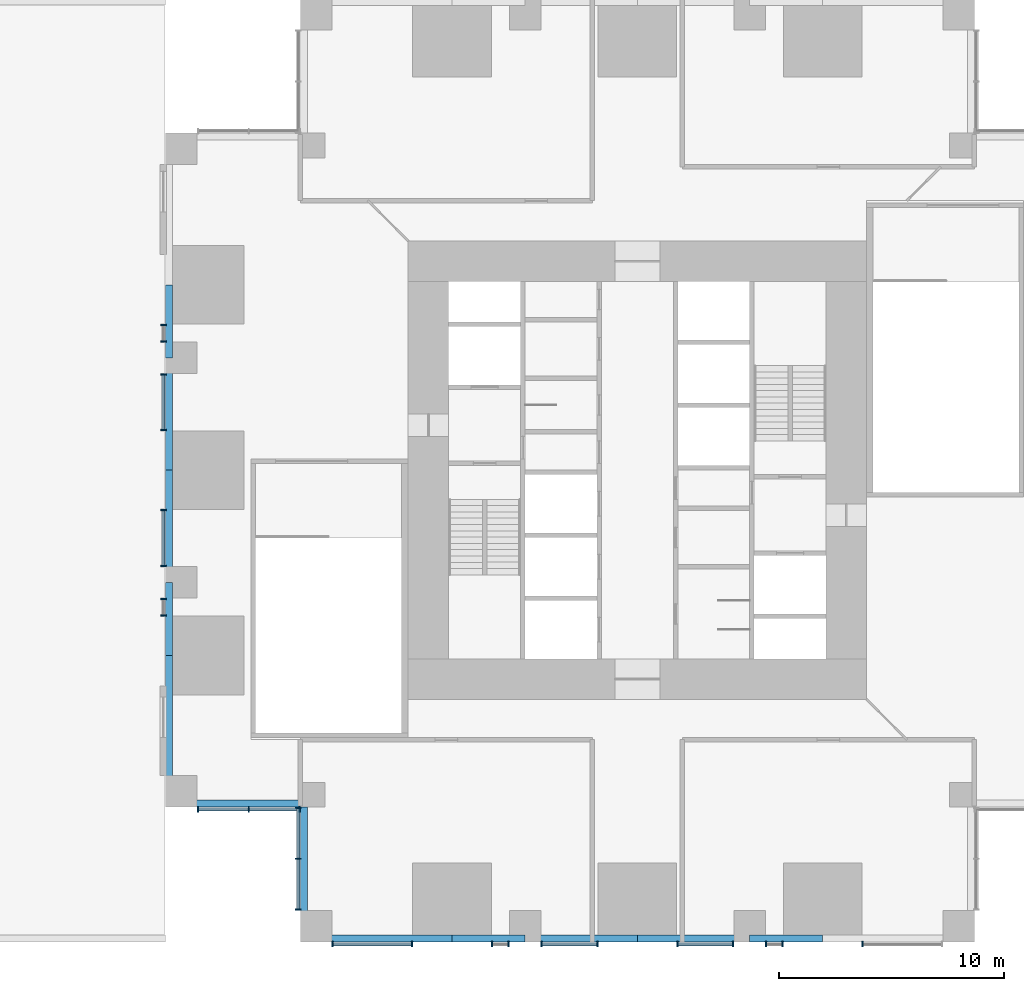
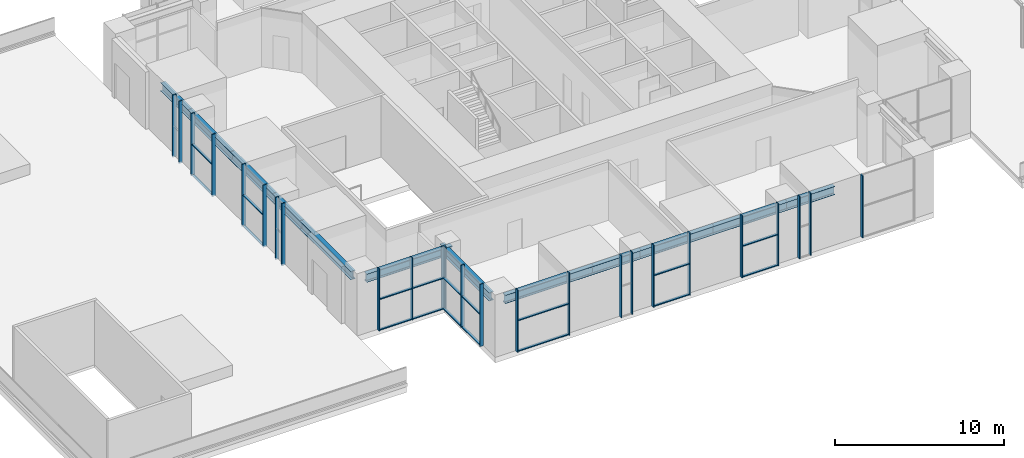
# One storey, part 3 of 14: 43 members, 12 beams, 12 elements without a shape of their own.
"""IFC4 building model written with IfcOpenShell, lengths in metres."""

from ifc_helpers import new_model, si_unit, direction, frame, origin, origin_2d, place, context, subcontext, project, spatial, rectangle, i_section, extrude, material, material_profile, profile_set, type_object, element, aggregate, save


model = new_model("IFC4")

# Units and contexts
model_context = context("Model", 3, precision=1e-05, world=origin(), true_north=direction((0.0, 1.0)))
body_context = subcontext(model_context, "Body", "Model", "MODEL_VIEW")
ifc_project = project(units=[si_unit("LENGTHUNIT", "METRE"), si_unit("AREAUNIT", "SQUARE_METRE"), si_unit("VOLUMEUNIT", "CUBIC_METRE"), si_unit("PLANEANGLEUNIT", "RADIAN"), si_unit("MASSUNIT", "GRAM", prefix="KILO")], contexts=[model_context])

# Site, building, storey
site_placement = place(None, origin())
site = spatial("IfcSite", under=ifc_project, at=site_placement, CompositionType="ELEMENT")
building_placement = place(site_placement, origin())
building = spatial("IfcBuilding", under=site, at=building_placement, Name="Svetlomir Tower", CompositionType="ELEMENT")
storey_placement = place(building_placement, frame((0.0, 0.0, 18.0)))
storey = spatial("IfcBuildingStorey", under=building, at=storey_placement, Name="L03", CompositionType="ELEMENT", Elevation=18.0)

# Curtain wall, members
ifc_material_1 = material(Name="Bronze anodised aluminium curtain wall", Category="aluminium")
curtain_wall_type = type_object("IfcCurtainWallType", Name="CURTAIN WALL CW2 SKY LOBBY", PredefinedType="NOTDEFINED", material=ifc_material_1)
curtain_wall_1_placement = place(storey_placement, origin())
curtain_wall_1 = element("IfcCurtainWall", 1, at=curtain_wall_1_placement, inside=storey, type_object=curtain_wall_type, Name="Curtain wall CW2 L03", PredefinedType="NOTDEFINED")
ifc_material_2 = material(Name="Bronze anodised aluminium", Category="aluminium")
ifc_material_profile_1 = material_profile(ifc_material_2, rectangle(XDim=0.06494140625, YDim=0.25, at=origin_2d()), Name="AL 65x250")
ifc_profile_set_1 = profile_set([ifc_material_profile_1], Name="Bronze anodised aluminium 6063-T6")
member_type_1 = type_object("IfcMemberType", Name="CW2 MULLION 65x250", PredefinedType="MULLION", material=ifc_profile_set_1)
member_1_placement = place(storey_placement, frame((7.4326171875, -0.10009765625, 0.0), z_axis=(0.0, 0.0, 1.0), x_axis=(1.0, 0.0, 0.0)))
member_1 = element("IfcMember", 2, at=member_1_placement, type_object=member_type_1, Name="CW2 mullion 1", PredefinedType="MULLION", context=body_context, shape_type="SweptSolid", body=[
    extrude(rectangle(XDim=0.06494140625, YDim=0.25, at=origin_2d()), origin(), (0.0, 0.0, 1.0), 4.5),
])
member_2_placement = place(storey_placement, frame((10.967529296875, -0.10009765625, 0.0), z_axis=(0.0, 0.0, 1.0), x_axis=(1.0, 0.0, 0.0)))
member_2 = element("IfcMember", 3, at=member_2_placement, type_object=member_type_1, Name="CW2 mullion 2", PredefinedType="MULLION", context=body_context, shape_type="SweptSolid", body=[
    extrude(rectangle(XDim=0.06494140625, YDim=0.25, at=origin_2d()), origin(), (0.0, 0.0, 1.0), 4.5),
])

curtain_wall_2_placement = place(storey_placement, origin())
curtain_wall_2 = element("IfcCurtainWall", 4, at=curtain_wall_2_placement, inside=storey, type_object=curtain_wall_type, Name="Curtain wall CW2 L03", PredefinedType="NOTDEFINED")
member_3_placement = place(storey_placement, frame((14.532470703125, -0.10009765625, 0.0), z_axis=(0.0, 0.0, 1.0), x_axis=(1.0, 0.0, 0.0)))
member_3 = element("IfcMember", 5, at=member_3_placement, type_object=member_type_1, Name="CW2 mullion 1", PredefinedType="MULLION", context=body_context, shape_type="SweptSolid", body=[
    extrude(rectangle(XDim=0.06494140625, YDim=0.25, at=origin_2d()), origin(), (0.0, 0.0, 1.0), 4.5),
])
member_4_placement = place(storey_placement, frame((15.267578125, -0.10009765625, 0.0), z_axis=(0.0, 0.0, 1.0), x_axis=(1.0, 0.0, 0.0)))
member_4 = element("IfcMember", 6, at=member_4_placement, type_object=member_type_1, Name="CW2 mullion 2", PredefinedType="MULLION", context=body_context, shape_type="SweptSolid", body=[
    extrude(rectangle(XDim=0.06494140625, YDim=0.25, at=origin_2d()), origin(), (0.0, 0.0, 1.0), 4.5),
])
aggregate(curtain_wall_2, [member_3, member_4])

curtain_wall_3_placement = place(storey_placement, origin())
curtain_wall_3 = element("IfcCurtainWall", 7, at=curtain_wall_3_placement, inside=storey, type_object=curtain_wall_type, Name="Curtain wall CW2 L03", PredefinedType="NOTDEFINED")
member_5_placement = place(storey_placement, frame((16.732421875, -0.10009765625, 0.0), z_axis=(0.0, 0.0, 1.0), x_axis=(1.0, 0.0, 0.0)))
member_5 = element("IfcMember", 8, at=member_5_placement, type_object=member_type_1, Name="CW2 mullion 1", PredefinedType="MULLION", context=body_context, shape_type="SweptSolid", body=[
    extrude(rectangle(XDim=0.06494140625, YDim=0.25, at=origin_2d()), origin(), (0.0, 0.0, 1.0), 4.5),
])
member_6_placement = place(storey_placement, frame((19.217529296875, -0.10009765625, 0.0), z_axis=(0.0, 0.0, 1.0), x_axis=(1.0, 0.0, 0.0)))
member_6 = element("IfcMember", 9, at=member_6_placement, type_object=member_type_1, Name="CW2 mullion 2", PredefinedType="MULLION", context=body_context, shape_type="SweptSolid", body=[
    extrude(rectangle(XDim=0.06494140625, YDim=0.25, at=origin_2d()), origin(), (0.0, 0.0, 1.0), 4.5),
])

curtain_wall_4_placement = place(storey_placement, origin())
curtain_wall_4 = element("IfcCurtainWall", 10, at=curtain_wall_4_placement, inside=storey, type_object=curtain_wall_type, Name="Curtain wall CW2 L03", PredefinedType="NOTDEFINED")
member_7_placement = place(storey_placement, frame((22.782470703125, -0.10009765625, 0.0), z_axis=(0.0, 0.0, 1.0), x_axis=(1.0, 0.0, 0.0)))
member_7 = element("IfcMember", 11, at=member_7_placement, type_object=member_type_1, Name="CW2 mullion 1", PredefinedType="MULLION", context=body_context, shape_type="SweptSolid", body=[
    extrude(rectangle(XDim=0.06494140625, YDim=0.25, at=origin_2d()), origin(), (0.0, 0.0, 1.0), 4.5),
])
member_8_placement = place(storey_placement, frame((25.267578125, -0.10009765625, 0.0), z_axis=(0.0, 0.0, 1.0), x_axis=(1.0, 0.0, 0.0)))
member_8 = element("IfcMember", 12, at=member_8_placement, type_object=member_type_1, Name="CW2 mullion 2", PredefinedType="MULLION", context=body_context, shape_type="SweptSolid", body=[
    extrude(rectangle(XDim=0.06494140625, YDim=0.25, at=origin_2d()), origin(), (0.0, 0.0, 1.0), 4.5),
])

curtain_wall_5_placement = place(storey_placement, origin())
curtain_wall_5 = element("IfcCurtainWall", 13, at=curtain_wall_5_placement, inside=storey, type_object=curtain_wall_type, Name="Curtain wall CW2 L03", PredefinedType="NOTDEFINED")
member_9_placement = place(storey_placement, frame((26.732421875, -0.10009765625, 0.0), z_axis=(0.0, 0.0, 1.0), x_axis=(1.0, 0.0, 0.0)))
member_9 = element("IfcMember", 14, at=member_9_placement, type_object=member_type_1, Name="CW2 mullion 1", PredefinedType="MULLION", context=body_context, shape_type="SweptSolid", body=[
    extrude(rectangle(XDim=0.06494140625, YDim=0.25, at=origin_2d()), origin(), (0.0, 0.0, 1.0), 4.5),
])
member_10_placement = place(storey_placement, frame((27.467529296875, -0.10009765625, 0.0), z_axis=(0.0, 0.0, 1.0), x_axis=(1.0, 0.0, 0.0)))
member_10 = element("IfcMember", 15, at=member_10_placement, type_object=member_type_1, Name="CW2 mullion 2", PredefinedType="MULLION", context=body_context, shape_type="SweptSolid", body=[
    extrude(rectangle(XDim=0.06494140625, YDim=0.25, at=origin_2d()), origin(), (0.0, 0.0, 1.0), 4.5),
])
aggregate(curtain_wall_5, [member_9, member_10])

# Curtain wall, member
curtain_wall_6_placement = place(storey_placement, origin())
curtain_wall_6 = element("IfcCurtainWall", 16, at=curtain_wall_6_placement, inside=storey, type_object=curtain_wall_type, Name="Curtain wall CW2 L03", PredefinedType="NOTDEFINED")
member_11_placement = place(storey_placement, frame((31.032470703125, -0.10009765625, 0.0), z_axis=(0.0, 0.0, 1.0), x_axis=(1.0, 0.0, 0.0)))
member_11 = element("IfcMember", 17, at=member_11_placement, type_object=member_type_1, Name="CW2 mullion 1", PredefinedType="MULLION", context=body_context, shape_type="SweptSolid", body=[
    extrude(rectangle(XDim=0.06494140625, YDim=0.25, at=origin_2d()), origin(), (0.0, 0.0, 1.0), 4.5),
])
aggregate(curtain_wall_6, [member_11])

# Curtain wall, members
curtain_wall_7_placement = place(storey_placement, origin())
curtain_wall_7 = element("IfcCurtainWall", 18, at=curtain_wall_7_placement, inside=storey, type_object=curtain_wall_type, Name="Curtain wall CW2 L03", PredefinedType="NOTDEFINED")
member_12_placement = place(storey_placement, frame((-0.10009765625, 27.467529296875, 0.0), z_axis=(0.0, 0.0, 1.0), x_axis=(0.0, -1.0, 0.0)))
member_12 = element("IfcMember", 19, at=member_12_placement, type_object=member_type_1, Name="CW2 mullion 1", PredefinedType="MULLION", context=body_context, shape_type="SweptSolid", body=[
    extrude(rectangle(XDim=0.06494140625, YDim=0.25, at=origin_2d()), origin(), (0.0, 0.0, 1.0), 4.5),
])
member_13_placement = place(storey_placement, frame((-0.10009765625, 26.732421875, 0.0), z_axis=(0.0, 0.0, 1.0), x_axis=(0.0, -1.0, 0.0)))
member_13 = element("IfcMember", 20, at=member_13_placement, type_object=member_type_1, Name="CW2 mullion 2", PredefinedType="MULLION", context=body_context, shape_type="SweptSolid", body=[
    extrude(rectangle(XDim=0.06494140625, YDim=0.25, at=origin_2d()), origin(), (0.0, 0.0, 1.0), 4.5),
])
aggregate(curtain_wall_7, [member_12, member_13])

curtain_wall_8_placement = place(storey_placement, origin())
curtain_wall_8 = element("IfcCurtainWall", 21, at=curtain_wall_8_placement, inside=storey, type_object=curtain_wall_type, Name="Curtain wall CW2 L03", PredefinedType="NOTDEFINED")
member_14_placement = place(storey_placement, frame((-0.10009765625, 25.267578125, 0.0), z_axis=(0.0, 0.0, 1.0), x_axis=(0.0, -1.0, 0.0)))
member_14 = element("IfcMember", 22, at=member_14_placement, type_object=member_type_1, Name="CW2 mullion 1", PredefinedType="MULLION", context=body_context, shape_type="SweptSolid", body=[
    extrude(rectangle(XDim=0.06494140625, YDim=0.25, at=origin_2d()), origin(), (0.0, 0.0, 1.0), 4.5),
])
member_15_placement = place(storey_placement, frame((-0.10009765625, 22.782470703125, 0.0), z_axis=(0.0, 0.0, 1.0), x_axis=(0.0, -1.0, 0.0)))
member_15 = element("IfcMember", 23, at=member_15_placement, type_object=member_type_1, Name="CW2 mullion 2", PredefinedType="MULLION", context=body_context, shape_type="SweptSolid", body=[
    extrude(rectangle(XDim=0.06494140625, YDim=0.25, at=origin_2d()), origin(), (0.0, 0.0, 1.0), 4.5),
])

curtain_wall_9_placement = place(storey_placement, origin())
curtain_wall_9 = element("IfcCurtainWall", 24, at=curtain_wall_9_placement, inside=storey, type_object=curtain_wall_type, Name="Curtain wall CW2 L03", PredefinedType="NOTDEFINED")
member_16_placement = place(storey_placement, frame((-0.10009765625, 19.217529296875, 0.0), z_axis=(0.0, 0.0, 1.0), x_axis=(0.0, -1.0, 0.0)))
member_16 = element("IfcMember", 25, at=member_16_placement, type_object=member_type_1, Name="CW2 mullion 1", PredefinedType="MULLION", context=body_context, shape_type="SweptSolid", body=[
    extrude(rectangle(XDim=0.06494140625, YDim=0.25, at=origin_2d()), origin(), (0.0, 0.0, 1.0), 4.5),
])
member_17_placement = place(storey_placement, frame((-0.10009765625, 16.732421875, 0.0), z_axis=(0.0, 0.0, 1.0), x_axis=(0.0, -1.0, 0.0)))
member_17 = element("IfcMember", 26, at=member_17_placement, type_object=member_type_1, Name="CW2 mullion 2", PredefinedType="MULLION", context=body_context, shape_type="SweptSolid", body=[
    extrude(rectangle(XDim=0.06494140625, YDim=0.25, at=origin_2d()), origin(), (0.0, 0.0, 1.0), 4.5),
])

curtain_wall_10_placement = place(storey_placement, origin())
curtain_wall_10 = element("IfcCurtainWall", 27, at=curtain_wall_10_placement, inside=storey, type_object=curtain_wall_type, Name="Curtain wall CW2 L03", PredefinedType="NOTDEFINED")
member_18_placement = place(storey_placement, frame((-0.10009765625, 15.267578125, 0.0), z_axis=(0.0, 0.0, 1.0), x_axis=(0.0, -1.0, 0.0)))
member_18 = element("IfcMember", 28, at=member_18_placement, type_object=member_type_1, Name="CW2 mullion 1", PredefinedType="MULLION", context=body_context, shape_type="SweptSolid", body=[
    extrude(rectangle(XDim=0.06494140625, YDim=0.25, at=origin_2d()), origin(), (0.0, 0.0, 1.0), 4.5),
])
member_19_placement = place(storey_placement, frame((-0.10009765625, 14.532470703125, 0.0), z_axis=(0.0, 0.0, 1.0), x_axis=(0.0, -1.0, 0.0)))
member_19 = element("IfcMember", 29, at=member_19_placement, type_object=member_type_1, Name="CW2 mullion 2", PredefinedType="MULLION", context=body_context, shape_type="SweptSolid", body=[
    extrude(rectangle(XDim=0.06494140625, YDim=0.25, at=origin_2d()), origin(), (0.0, 0.0, 1.0), 4.5),
])
aggregate(curtain_wall_10, [member_18, member_19])

curtain_wall_11_placement = place(storey_placement, origin())
curtain_wall_11 = element("IfcCurtainWall", 30, at=curtain_wall_11_placement, inside=storey, type_object=curtain_wall_type, Name="Curtain wall CW2 L03", PredefinedType="NOTDEFINED")
member_20_placement = place(storey_placement, frame((1.4326171875, 5.89990234375, 0.0), z_axis=(0.0, 0.0, 1.0), x_axis=(1.0, 0.0, 0.0)))
member_20 = element("IfcMember", 31, at=member_20_placement, type_object=member_type_1, Name="CW2 mullion 1", PredefinedType="MULLION", context=body_context, shape_type="SweptSolid", body=[
    extrude(rectangle(XDim=0.06494140625, YDim=0.25, at=origin_2d()), origin(), (0.0, 0.0, 1.0), 4.5),
])
member_21_placement = place(storey_placement, frame((3.699951171875, 5.89990234375, 0.0), z_axis=(0.0, 0.0, 1.0), x_axis=(1.0, 0.0, 0.0)))
member_21 = element("IfcMember", 32, at=member_21_placement, type_object=member_type_1, Name="CW2 mullion 2", PredefinedType="MULLION", context=body_context, shape_type="SweptSolid", body=[
    extrude(rectangle(XDim=0.06494140625, YDim=0.25, at=origin_2d()), origin(), (0.0, 0.0, 1.0), 4.5),
])
member_22_placement = place(storey_placement, frame((5.967529296875, 5.89990234375, 0.0), z_axis=(0.0, 0.0, 1.0), x_axis=(1.0, 0.0, 0.0)))
member_22 = element("IfcMember", 33, at=member_22_placement, type_object=member_type_1, Name="CW2 mullion 3", PredefinedType="MULLION", context=body_context, shape_type="SweptSolid", body=[
    extrude(rectangle(XDim=0.06494140625, YDim=0.25, at=origin_2d()), origin(), (0.0, 0.0, 1.0), 4.5),
])

curtain_wall_12_placement = place(storey_placement, origin())
curtain_wall_12 = element("IfcCurtainWall", 34, at=curtain_wall_12_placement, inside=storey, type_object=curtain_wall_type, Name="Curtain wall CW2 L03", PredefinedType="NOTDEFINED")
member_23_placement = place(storey_placement, frame((5.89990234375, 5.967529296875, 0.0), z_axis=(0.0, 0.0, 1.0), x_axis=(0.0, -1.0, 0.0)))
member_23 = element("IfcMember", 35, at=member_23_placement, type_object=member_type_1, Name="CW2 mullion 1", PredefinedType="MULLION", context=body_context, shape_type="SweptSolid", body=[
    extrude(rectangle(XDim=0.06494140625, YDim=0.25, at=origin_2d()), origin(), (0.0, 0.0, 1.0), 4.5),
])
member_24_placement = place(storey_placement, frame((5.89990234375, 3.699951171875, 0.0), z_axis=(0.0, 0.0, 1.0), x_axis=(0.0, -1.0, 0.0)))
member_24 = element("IfcMember", 36, at=member_24_placement, type_object=member_type_1, Name="CW2 mullion 2", PredefinedType="MULLION", context=body_context, shape_type="SweptSolid", body=[
    extrude(rectangle(XDim=0.06494140625, YDim=0.25, at=origin_2d()), origin(), (0.0, 0.0, 1.0), 4.5),
])
member_25_placement = place(storey_placement, frame((5.89990234375, 1.4326171875, 0.0), z_axis=(0.0, 0.0, 1.0), x_axis=(0.0, -1.0, 0.0)))
member_25 = element("IfcMember", 37, at=member_25_placement, type_object=member_type_1, Name="CW2 mullion 3", PredefinedType="MULLION", context=body_context, shape_type="SweptSolid", body=[
    extrude(rectangle(XDim=0.06494140625, YDim=0.25, at=origin_2d()), origin(), (0.0, 0.0, 1.0), 4.5),
])

# Member
ifc_material_3 = material(Name="Bronze anodised aluminium", Category="aluminium")
ifc_material_profile_2 = material_profile(ifc_material_3, rectangle(XDim=0.159912109375, YDim=0.06494140625, at=origin_2d()), Name="AL 160x65")
ifc_profile_set_2 = profile_set([ifc_material_profile_2], Name="Bronze anodised aluminium 6063-T6")
member_type_2 = type_object("IfcMemberType", Name="CW2 TRANSOM 65x160", PredefinedType="USERDEFINED", material=ifc_profile_set_2)
member_26_placement = place(storey_placement, frame((7.465087890625, -0.10009765625, 0.032470703125), z_axis=(1.0, 0.0, 0.0), x_axis=(0.0, 1.0, 0.0)))
member_26 = element("IfcMember", 38, at=member_26_placement, type_object=member_type_2, Name="CW2 transom 1.1", ObjectType="TRANSOM", PredefinedType="USERDEFINED", context=body_context, shape_type="SweptSolid", body=[
    extrude(rectangle(XDim=0.159912109375, YDim=0.06494140625, at=origin_2d()), origin(), (0.0, 0.0, 1.0), 3.469970703125),
])

member_27_placement = place(storey_placement, frame((7.465087890625, -0.10009765625, 2.25), z_axis=(1.0, 0.0, 0.0), x_axis=(0.0, 1.0, 0.0)))
member_27 = element("IfcMember", 39, at=member_27_placement, type_object=member_type_2, Name="CW2 transom 1.2", ObjectType="TRANSOM", PredefinedType="USERDEFINED", context=body_context, shape_type="SweptSolid", body=[
    extrude(rectangle(XDim=0.159912109375, YDim=0.06494140625, at=origin_2d()), origin(), (0.0, 0.0, 1.0), 3.469970703125),
])

aggregate(curtain_wall_1, [member_1, member_2, member_26, member_27])

member_28_placement = place(storey_placement, frame((16.764892578125, -0.10009765625, 0.032470703125), z_axis=(1.0, 0.0, 0.0), x_axis=(0.0, 1.0, 0.0)))
member_28 = element("IfcMember", 40, at=member_28_placement, type_object=member_type_2, Name="CW2 transom 1.1", ObjectType="TRANSOM", PredefinedType="USERDEFINED", context=body_context, shape_type="SweptSolid", body=[
    extrude(rectangle(XDim=0.159912109375, YDim=0.06494140625, at=origin_2d()), origin(), (0.0, 0.0, 1.0), 2.420166015625),
])

member_29_placement = place(storey_placement, frame((16.764892578125, -0.10009765625, 2.25), z_axis=(1.0, 0.0, 0.0), x_axis=(0.0, 1.0, 0.0)))
member_29 = element("IfcMember", 41, at=member_29_placement, type_object=member_type_2, Name="CW2 transom 1.2", ObjectType="TRANSOM", PredefinedType="USERDEFINED", context=body_context, shape_type="SweptSolid", body=[
    extrude(rectangle(XDim=0.159912109375, YDim=0.06494140625, at=origin_2d()), origin(), (0.0, 0.0, 1.0), 2.420166015625),
])

aggregate(curtain_wall_3, [member_5, member_6, member_28, member_29])

member_30_placement = place(storey_placement, frame((22.81494140625, -0.10009765625, 0.032470703125), z_axis=(1.0, 0.0, 0.0), x_axis=(0.0, 1.0, 0.0)))
member_30 = element("IfcMember", 42, at=member_30_placement, type_object=member_type_2, Name="CW2 transom 1.1", ObjectType="TRANSOM", PredefinedType="USERDEFINED", context=body_context, shape_type="SweptSolid", body=[
    extrude(rectangle(XDim=0.159912109375, YDim=0.06494140625, at=origin_2d()), origin(), (0.0, 0.0, 1.0), 2.420166015625),
])

member_31_placement = place(storey_placement, frame((22.81494140625, -0.10009765625, 2.25), z_axis=(1.0, 0.0, 0.0), x_axis=(0.0, 1.0, 0.0)))
member_31 = element("IfcMember", 43, at=member_31_placement, type_object=member_type_2, Name="CW2 transom 1.2", ObjectType="TRANSOM", PredefinedType="USERDEFINED", context=body_context, shape_type="SweptSolid", body=[
    extrude(rectangle(XDim=0.159912109375, YDim=0.06494140625, at=origin_2d()), origin(), (0.0, 0.0, 1.0), 2.420166015625),
])

aggregate(curtain_wall_4, [member_7, member_8, member_30, member_31])

member_32_placement = place(storey_placement, frame((-0.10009765625, 25.235107421875, 0.032470703125), z_axis=(0.0, -1.0, 0.0), x_axis=(1.0, 0.0, 0.0)))
member_32 = element("IfcMember", 44, at=member_32_placement, type_object=member_type_2, Name="CW2 transom 1.1", ObjectType="TRANSOM", PredefinedType="USERDEFINED", context=body_context, shape_type="SweptSolid", body=[
    extrude(rectangle(XDim=0.159912109375, YDim=0.06494140625, at=origin_2d()), origin(), (0.0, 0.0, 1.0), 2.420166015625),
])

member_33_placement = place(storey_placement, frame((-0.10009765625, 25.235107421875, 2.25), z_axis=(0.0, -1.0, 0.0), x_axis=(1.0, 0.0, 0.0)))
member_33 = element("IfcMember", 45, at=member_33_placement, type_object=member_type_2, Name="CW2 transom 1.2", ObjectType="TRANSOM", PredefinedType="USERDEFINED", context=body_context, shape_type="SweptSolid", body=[
    extrude(rectangle(XDim=0.159912109375, YDim=0.06494140625, at=origin_2d()), origin(), (0.0, 0.0, 1.0), 2.420166015625),
])

aggregate(curtain_wall_8, [member_14, member_15, member_32, member_33])

member_34_placement = place(storey_placement, frame((-0.10009765625, 19.18505859375, 0.032470703125), z_axis=(0.0, -1.0, 0.0), x_axis=(1.0, 0.0, 0.0)))
member_34 = element("IfcMember", 46, at=member_34_placement, type_object=member_type_2, Name="CW2 transom 1.1", ObjectType="TRANSOM", PredefinedType="USERDEFINED", context=body_context, shape_type="SweptSolid", body=[
    extrude(rectangle(XDim=0.159912109375, YDim=0.06494140625, at=origin_2d()), origin(), (0.0, 0.0, 1.0), 2.420166015625),
])

member_35_placement = place(storey_placement, frame((-0.10009765625, 19.18505859375, 2.25), z_axis=(0.0, -1.0, 0.0), x_axis=(1.0, 0.0, 0.0)))
member_35 = element("IfcMember", 47, at=member_35_placement, type_object=member_type_2, Name="CW2 transom 1.2", ObjectType="TRANSOM", PredefinedType="USERDEFINED", context=body_context, shape_type="SweptSolid", body=[
    extrude(rectangle(XDim=0.159912109375, YDim=0.06494140625, at=origin_2d()), origin(), (0.0, 0.0, 1.0), 2.420166015625),
])

aggregate(curtain_wall_9, [member_16, member_17, member_34, member_35])

member_36_placement = place(storey_placement, frame((1.465087890625, 5.89990234375, 0.032470703125), z_axis=(1.0, 0.0, 0.0), x_axis=(0.0, 1.0, 0.0)))
member_36 = element("IfcMember", 48, at=member_36_placement, type_object=member_type_2, Name="CW2 transom 1.1", ObjectType="TRANSOM", PredefinedType="USERDEFINED", context=body_context, shape_type="SweptSolid", body=[
    extrude(rectangle(XDim=0.159912109375, YDim=0.06494140625, at=origin_2d()), origin(), (0.0, 0.0, 1.0), 2.202392578125),
])

member_37_placement = place(storey_placement, frame((1.465087890625, 5.89990234375, 2.25), z_axis=(1.0, 0.0, 0.0), x_axis=(0.0, 1.0, 0.0)))
member_37 = element("IfcMember", 49, at=member_37_placement, type_object=member_type_2, Name="CW2 transom 1.2", ObjectType="TRANSOM", PredefinedType="USERDEFINED", context=body_context, shape_type="SweptSolid", body=[
    extrude(rectangle(XDim=0.159912109375, YDim=0.06494140625, at=origin_2d()), origin(), (0.0, 0.0, 1.0), 2.202392578125),
])

member_38_placement = place(storey_placement, frame((3.732421875, 5.89990234375, 0.032470703125), z_axis=(1.0, 0.0, 0.0), x_axis=(0.0, 1.0, 0.0)))
member_38 = element("IfcMember", 50, at=member_38_placement, type_object=member_type_2, Name="CW2 transom 2.1", ObjectType="TRANSOM", PredefinedType="USERDEFINED", context=body_context, shape_type="SweptSolid", body=[
    extrude(rectangle(XDim=0.159912109375, YDim=0.06494140625, at=origin_2d()), origin(), (0.0, 0.0, 1.0), 2.20263671875),
])

member_39_placement = place(storey_placement, frame((3.732421875, 5.89990234375, 2.25), z_axis=(1.0, 0.0, 0.0), x_axis=(0.0, 1.0, 0.0)))
member_39 = element("IfcMember", 51, at=member_39_placement, type_object=member_type_2, Name="CW2 transom 2.2", ObjectType="TRANSOM", PredefinedType="USERDEFINED", context=body_context, shape_type="SweptSolid", body=[
    extrude(rectangle(XDim=0.159912109375, YDim=0.06494140625, at=origin_2d()), origin(), (0.0, 0.0, 1.0), 2.20263671875),
])

aggregate(curtain_wall_11, [member_20, member_21, member_22, member_36, member_37, member_38, member_39])

member_40_placement = place(storey_placement, frame((5.89990234375, 5.93505859375, 0.032470703125), z_axis=(0.0, -1.0, 0.0), x_axis=(1.0, 0.0, 0.0)))
member_40 = element("IfcMember", 52, at=member_40_placement, type_object=member_type_2, Name="CW2 transom 1.1", ObjectType="TRANSOM", PredefinedType="USERDEFINED", context=body_context, shape_type="SweptSolid", body=[
    extrude(rectangle(XDim=0.159912109375, YDim=0.06494140625, at=origin_2d()), origin(), (0.0, 0.0, 1.0), 2.20263671875),
])

member_41_placement = place(storey_placement, frame((5.89990234375, 5.93505859375, 2.25), z_axis=(0.0, -1.0, 0.0), x_axis=(1.0, 0.0, 0.0)))
member_41 = element("IfcMember", 53, at=member_41_placement, type_object=member_type_2, Name="CW2 transom 1.2", ObjectType="TRANSOM", PredefinedType="USERDEFINED", context=body_context, shape_type="SweptSolid", body=[
    extrude(rectangle(XDim=0.159912109375, YDim=0.06494140625, at=origin_2d()), origin(), (0.0, 0.0, 1.0), 2.20263671875),
])

member_42_placement = place(storey_placement, frame((5.89990234375, 3.66748046875, 0.032470703125), z_axis=(0.0, -1.0, 0.0), x_axis=(1.0, 0.0, 0.0)))
member_42 = element("IfcMember", 54, at=member_42_placement, type_object=member_type_2, Name="CW2 transom 2.1", ObjectType="TRANSOM", PredefinedType="USERDEFINED", context=body_context, shape_type="SweptSolid", body=[
    extrude(rectangle(XDim=0.159912109375, YDim=0.06494140625, at=origin_2d()), origin(), (0.0, 0.0, 1.0), 2.202392578125),
])

member_43_placement = place(storey_placement, frame((5.89990234375, 3.66748046875, 2.25), z_axis=(0.0, -1.0, 0.0), x_axis=(1.0, 0.0, 0.0)))
member_43 = element("IfcMember", 55, at=member_43_placement, type_object=member_type_2, Name="CW2 transom 2.2", ObjectType="TRANSOM", PredefinedType="USERDEFINED", context=body_context, shape_type="SweptSolid", body=[
    extrude(rectangle(XDim=0.159912109375, YDim=0.06494140625, at=origin_2d()), origin(), (0.0, 0.0, 1.0), 2.202392578125),
])

aggregate(curtain_wall_12, [member_23, member_24, member_25, member_40, member_41, member_42, member_43])

# Beams
ifc_material_4 = material(Name="Steel S355", Category="steel")
ifc_material_profile_3 = material_profile(ifc_material_4, i_section(OverallWidth=0.304931640625, OverallDepth=0.6201171875, WebThickness=0.02099609375, FlangeThickness=0.0400390625, FilletRadius=0.027099609375, at=origin_2d()), Name="HEM 600")
ifc_profile_set_3 = profile_set([ifc_material_profile_3], Name="Steel S355")
beam_type = type_object("IfcBeamType", Name="EDGE BEAM HEM 600", PredefinedType="SPANDREL", material=ifc_profile_set_3)
for number, where, z_axis, x_axis, name in (
    (56, (6.699951171875, 0.152587890625, 3.93994140625), (1.0, 0.0, 0.0), (0.0, 1.0, 0.0), "Edge beam 6/0 to 11/0 under L04"),
    (57, (0.152587890625, 6.699951171875, 3.93994140625), (0.0, 1.0, 0.0), (-1.0, 0.0, 0.0), "Edge beam 0/6 to 0/11 under L04"),
):
    element("IfcBeam", number, at=place(storey_placement, frame(where, z_axis=z_axis, x_axis=x_axis)), inside=storey, type_object=beam_type, Name=name, PredefinedType="SPANDREL", context=body_context, shape_type="SweptSolid", body=[
        extrude(i_section(OverallWidth=0.304931640625, OverallDepth=0.6201171875, WebThickness=0.02099609375, FlangeThickness=0.0400390625, FilletRadius=0.027099609375, at=origin_2d()), origin(), (0.0, 0.0, 1.0), 6.050048828125),
    ])
for number, where, z_axis, x_axis, name in (
    (58, (12.75, 0.152587890625, 3.93994140625), (1.0, 0.0, 0.0), (0.0, 1.0, 0.0), "Edge beam 11/0 to 16/0 under L04"),
    (59, (0.152587890625, 12.75, 3.93994140625), (0.0, 1.0, 0.0), (-1.0, 0.0, 0.0), "Edge beam 0/11 to 0/16 under L04"),
):
    element("IfcBeam", number, at=place(storey_placement, frame(where, z_axis=z_axis, x_axis=x_axis)), inside=storey, type_object=beam_type, Name=name, PredefinedType="SPANDREL", context=body_context, shape_type="SweptSolid", body=[
        extrude(i_section(OverallWidth=0.304931640625, OverallDepth=0.6201171875, WebThickness=0.02099609375, FlangeThickness=0.0400390625, FilletRadius=0.027099609375, at=origin_2d()), origin(), (0.0, 0.0, 1.0), 3.25),
    ])
for number, where, z_axis, x_axis, name in (
    (60, (16.0, 0.152587890625, 3.93994140625), (1.0, 0.0, 0.0), (0.0, 1.0, 0.0), "Edge beam 16/0 to 21/0 under L04"),
    (61, (0.152587890625, 16.0, 3.93994140625), (0.0, 1.0, 0.0), (-1.0, 0.0, 0.0), "Edge beam 0/16 to 0/21 under L04"),
    (62, (21.0, 0.152587890625, 3.93994140625), (1.0, 0.0, 0.0), (0.0, 1.0, 0.0), "Edge beam 21/0 to 26/0 under L04"),
    (63, (0.152587890625, 21.0, 3.93994140625), (0.0, 1.0, 0.0), (-1.0, 0.0, 0.0), "Edge beam 0/21 to 0/26 under L04"),
):
    element("IfcBeam", number, at=place(storey_placement, frame(where, z_axis=z_axis, x_axis=x_axis)), inside=storey, type_object=beam_type, Name=name, PredefinedType="SPANDREL", context=body_context, shape_type="SweptSolid", body=[
        extrude(i_section(OverallWidth=0.304931640625, OverallDepth=0.6201171875, WebThickness=0.02099609375, FlangeThickness=0.0400390625, FilletRadius=0.027099609375, at=origin_2d()), origin(), (0.0, 0.0, 1.0), 5.0),
    ])
for number, where, z_axis, x_axis, name in (
    (64, (26.0, 0.152587890625, 3.93994140625), (1.0, 0.0, 0.0), (0.0, 1.0, 0.0), "Edge beam 26/0 to 31/0 under L04"),
    (65, (0.152587890625, 26.0, 3.93994140625), (0.0, 1.0, 0.0), (-1.0, 0.0, 0.0), "Edge beam 0/26 to 0/31 under L04"),
):
    element("IfcBeam", number, at=place(storey_placement, frame(where, z_axis=z_axis, x_axis=x_axis)), inside=storey, type_object=beam_type, Name=name, PredefinedType="SPANDREL", context=body_context, shape_type="SweptSolid", body=[
        extrude(i_section(OverallWidth=0.304931640625, OverallDepth=0.6201171875, WebThickness=0.02099609375, FlangeThickness=0.0400390625, FilletRadius=0.027099609375, at=origin_2d()), origin(), (0.0, 0.0, 1.0), 3.25),
    ])
for number, where, z_axis, x_axis, name in (
    (66, (6.152587890625, 0.699951171875, 3.93994140625), (0.0, 1.0, 0.0), (-1.0, 0.0, 0.0), "Edge beam 6/0 to 6/6 under L04"),
    (67, (0.699951171875, 6.152587890625, 3.93994140625), (1.0, 0.0, 0.0), (0.0, 1.0, 0.0), "Edge beam 0/6 to 6/6 under L04"),
):
    element("IfcBeam", number, at=place(storey_placement, frame(where, z_axis=z_axis, x_axis=x_axis)), inside=storey, type_object=beam_type, Name=name, PredefinedType="SPANDREL", context=body_context, shape_type="SweptSolid", body=[
        extrude(i_section(OverallWidth=0.304931640625, OverallDepth=0.6201171875, WebThickness=0.02099609375, FlangeThickness=0.0400390625, FilletRadius=0.027099609375, at=origin_2d()), origin(), (0.0, 0.0, 1.0), 5.85009765625),
    ])

save(model, "model.ifc")
